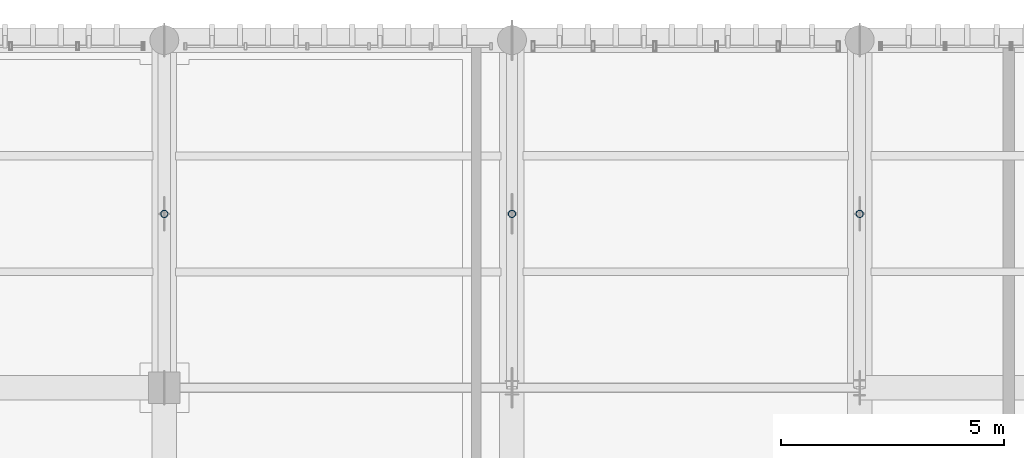
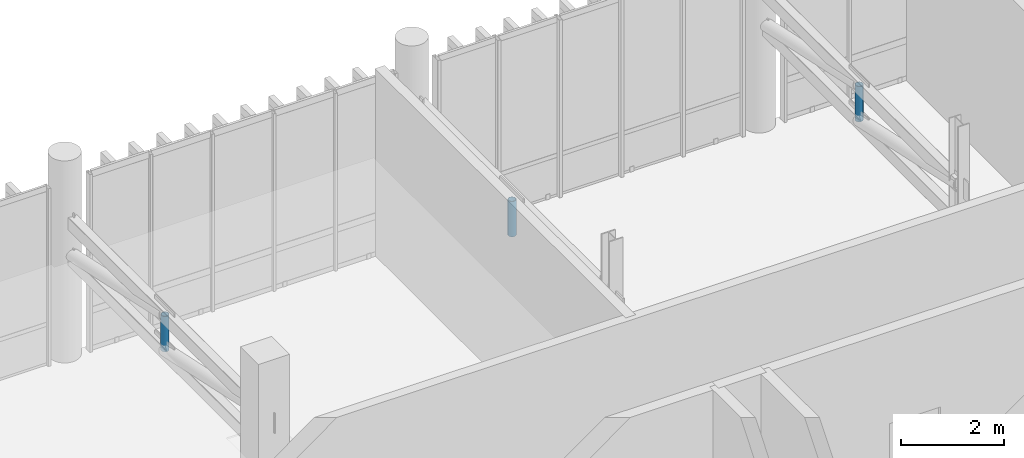
# One storey, part 58 of 81: 3 members.
"""IFC4 building model written with IfcOpenShell, lengths in metres."""

from ifc_helpers import new_model, si_unit, direction, frame, origin_with_axes, origin_2d_with_axis, place, context, subcontext, project, spatial, hollow_circle, extrude, material, material_profile, profile_set, type_object, element, save


model = new_model("IFC4")

# Units and contexts
model_context = context("Model", 3, precision=1e-05, world=origin_with_axes(), true_north=direction((0.0, 1.0)))
body_context = subcontext(model_context, "Body", "Model", "MODEL_VIEW")
ifc_project = project(units=[si_unit("LENGTHUNIT", "METRE"), si_unit("AREAUNIT", "SQUARE_METRE"), si_unit("VOLUMEUNIT", "CUBIC_METRE"), si_unit("PLANEANGLEUNIT", "RADIAN"), si_unit("MASSUNIT", "GRAM", prefix="KILO"), si_unit("THERMODYNAMICTEMPERATUREUNIT", "KELVIN")], contexts=[model_context])

# Site, building, storey
site_placement = place(None, origin_with_axes())
site = spatial("IfcSite", under=ifc_project, at=site_placement, CompositionType="ELEMENT")
building_placement = place(site_placement, origin_with_axes())
building = spatial("IfcBuilding", under=site, at=building_placement, Name="Montbau Bow Law Courts", CompositionType="ELEMENT")
storey_placement = place(building_placement, frame((0.0, 0.0, 24.9), z_axis=(0.0, 0.0, 1.0), x_axis=(1.0, 0.0, 0.0)))
storey = spatial("IfcBuildingStorey", under=building, at=storey_placement, Name="L05", CompositionType="ELEMENT", Elevation=24.9)

# Members
ifc_material = material(Name="Steel CSA G40.21 Grade 350W (350 MPa)", Category="steel")
ifc_material_profile = material_profile(ifc_material, hollow_circle(Radius=0.084, WallThickness=0.0095, at=origin_2d_with_axis()), Name="HSS168X9.5", Category="Main", Priority=0)
ifc_profile_set = profile_set([ifc_material_profile], Name="Steel CSA G40.21 Grade 350W (350 MPa)")
member_type = type_object("IfcMemberType", Name="M-STR-01", PredefinedType="STRUT", material=ifc_profile_set)
for number, where, z_axis, x_axis, name in (
    (1, (147.0, 107.1, 27.36), (0.0, 0.0, 1.0), (1.0, 0.0, 0.0), "STR-L05-11:mbr_0044"),
    (2, (154.8, 107.1, 27.36), (0.0, 0.0, 1.0), (1.0, 0.0, 0.0), "STR-L05-12:mbr_0048"),
    (3, (162.6, 107.1, 27.36), (0.0, 0.0, 1.0), (1.0, 0.0, 0.0), "STR-L05-13:mbr_0052"),
):
    element("IfcMember", number, at=place(None, frame(where, z_axis=z_axis, x_axis=x_axis)), inside=storey, type_object=member_type, Name=name, PredefinedType="STRUT", context=body_context, shape_type="SweptSolid", body=[
        extrude(hollow_circle(Radius=0.084, WallThickness=0.0095, at=origin_2d_with_axis()), origin_with_axes(), (0.0, 0.0, 1.0), 0.84),
    ])

save(model, "model.ifc")
